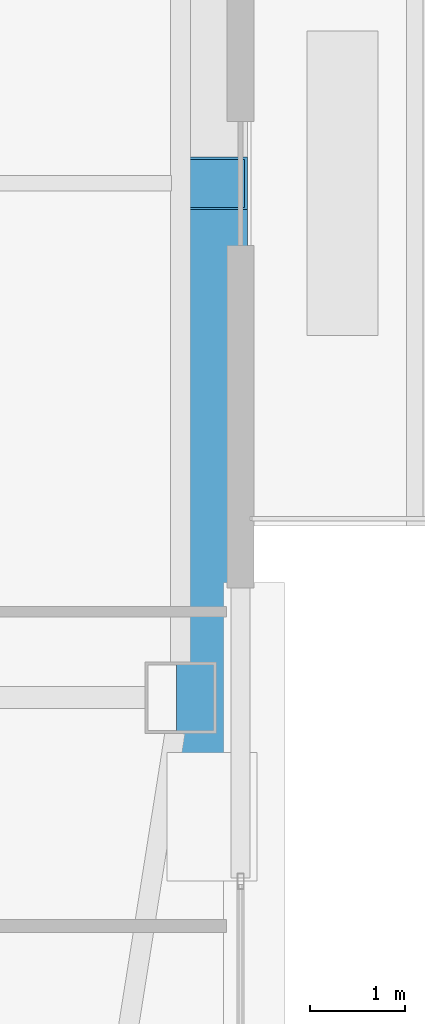
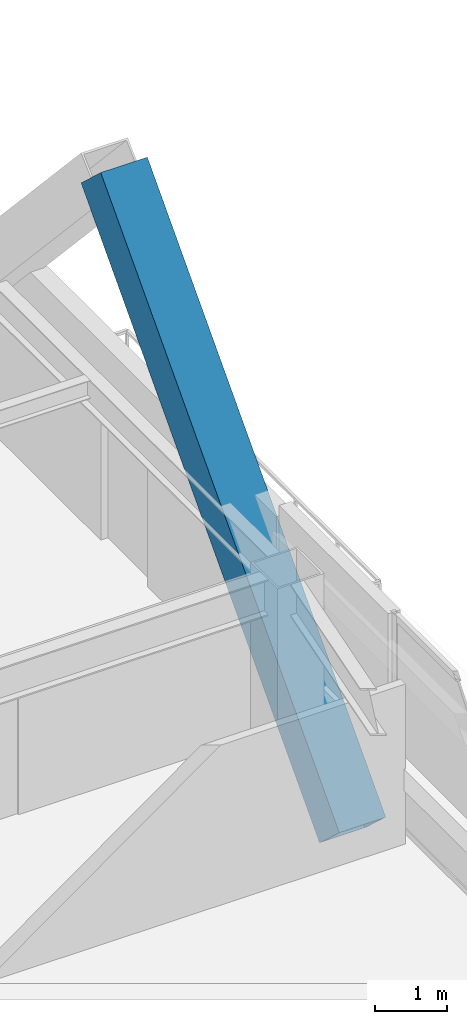
# One storey, part 8 of 24: 1 member.
"""IFC4 building model written with IfcOpenShell, lengths in metres."""

from ifc_helpers import new_model, si_unit, direction, frame, origin, origin_2d, place, context, subcontext, project, spatial, hollow_rectangle, extrude, material, material_profile, profile_set, type_object, element, save


model = new_model("IFC4")

# Units and contexts
model_context = context("Model", 3, precision=1e-05, world=origin(), true_north=direction((0.0, 1.0)))
body_context = subcontext(model_context, "Body", "Model", "MODEL_VIEW")
ifc_project = project(units=[si_unit("LENGTHUNIT", "METRE"), si_unit("AREAUNIT", "SQUARE_METRE"), si_unit("VOLUMEUNIT", "CUBIC_METRE"), si_unit("PLANEANGLEUNIT", "RADIAN"), si_unit("MASSUNIT", "GRAM", prefix="KILO")], contexts=[model_context])

# Site, building, storey
site_placement = place(None, origin())
site = spatial("IfcSite", under=ifc_project, at=site_placement, CompositionType="ELEMENT")
building_placement = place(site_placement, origin())
building = spatial("IfcBuilding", under=site, at=building_placement, Name="Tashvorn Skyway Center", CompositionType="ELEMENT")
storey_placement = place(building_placement, frame((0.0, 0.0, 270.5)))
storey = spatial("IfcBuildingStorey", under=building, at=storey_placement, Name="L73", CompositionType="ELEMENT", Elevation=270.5)

# Member
ifc_material = material(Name="Steel ASTM A572 Grade 50", Category="steel")
ifc_material_profile = material_profile(ifc_material, hollow_rectangle(XDim=0.75, YDim=0.75, WallThickness=0.031982421875, at=origin_2d()), Name="BOX750x750x32")
ifc_profile_set = profile_set([ifc_material_profile], Name="Steel ASTM A572 Grade 50")
member_type = type_object("IfcMemberType", Name="MEM-MB-750", PredefinedType="BRACE", material=ifc_profile_set)
member_placement = place(storey_placement, frame((56.8798828125, 25.35009765625, -0.449951171875), z_axis=(0.0, 0.678489061697, 0.734610504388), x_axis=(-1.0, 0.0, 0.0)))
element("IfcMember", 1, at=member_placement, inside=storey, type_object=member_type, Name="Tower 1 Zone 7 E Chevron Mega-Brace L2", PredefinedType="BRACE", context=body_context, shape_type="SweptSolid", body=[
    extrude(hollow_rectangle(XDim=0.75, YDim=0.75, WallThickness=0.031982421875, at=origin_2d()), origin(), (0.0, 0.0, 1.0), 9.801025390625),
])

save(model, "model.ifc")
